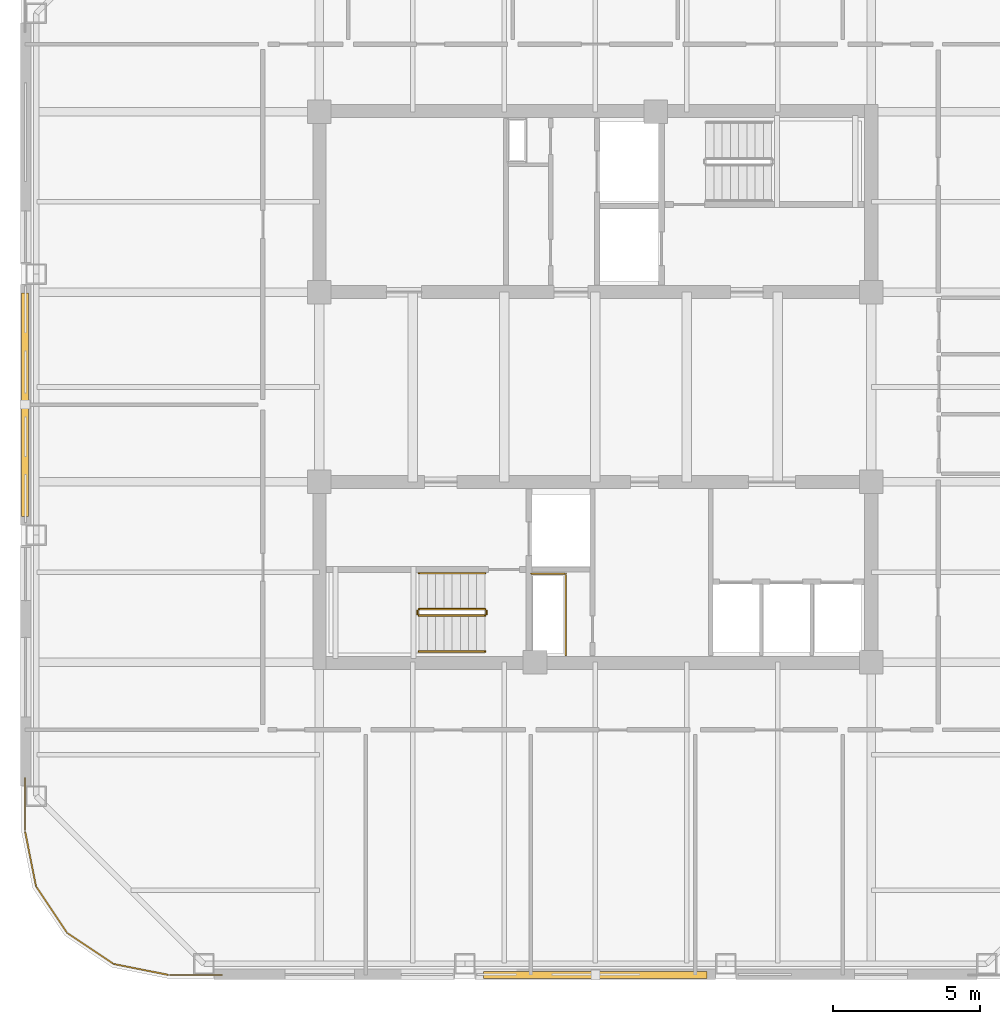
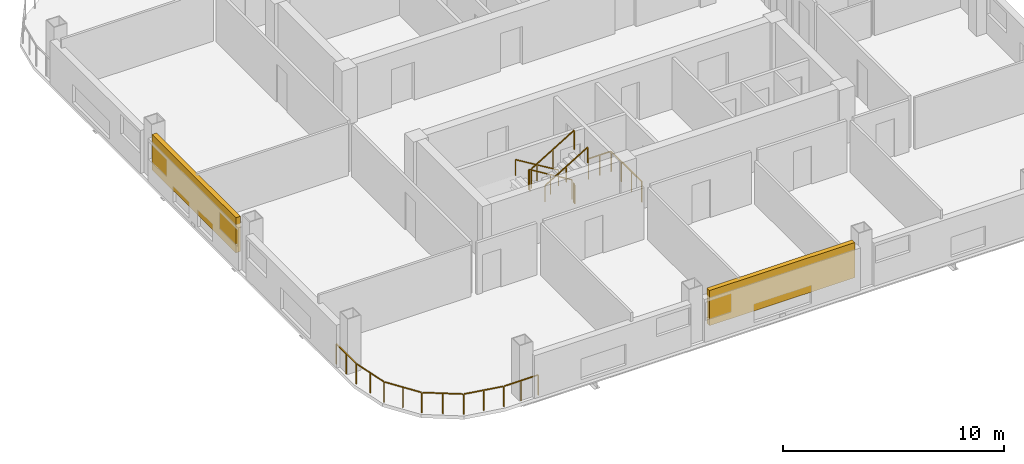
# One storey, part 6 of 8: 8 railings, 2 shading devices.
"""IFC4 building model written with IfcOpenShell, lengths in metres."""

from ifc_helpers import new_model, si_unit, direction, frame, origin, origin_2d, place, context, subcontext, project, spatial, rectangle, extrude, material, type_object, element, save


model = new_model("IFC4")

# Units and contexts
model_context = context("Model", 3, precision=1e-05, world=origin(), true_north=direction((0.0, 1.0)))
body_context = subcontext(model_context, "Body", "Model", "MODEL_VIEW")
ifc_project = project(units=[si_unit("LENGTHUNIT", "METRE"), si_unit("AREAUNIT", "SQUARE_METRE"), si_unit("VOLUMEUNIT", "CUBIC_METRE"), si_unit("PLANEANGLEUNIT", "RADIAN"), si_unit("MASSUNIT", "GRAM", prefix="KILO")], contexts=[model_context])

# Site, building, storey
site_placement = place(None, origin())
site = spatial("IfcSite", under=ifc_project, at=site_placement, CompositionType="ELEMENT")
building_placement = place(site_placement, origin())
building = spatial("IfcBuilding", under=site, at=building_placement, Name="Qhalaya Broadcast Tower", CompositionType="ELEMENT")
storey_placement = place(building_placement, frame((0.0, 0.0, 214.75)))
storey = spatial("IfcBuildingStorey", under=building, at=storey_placement, Name="L63", CompositionType="ELEMENT", Elevation=214.75)

# Railings
ifc_material_1 = material(Name="Powder-Coated Galvanised Steel", Category="steel")
railing_type_1 = type_object("IfcRailingType", Name="Stair Wall Handrail 900", PredefinedType="HANDRAIL", material=ifc_material_1)
railing_1_placement = place(storey_placement, frame((-3.75, -5.72998046875, 0.16943359375)))
element("IfcRailing", 1, at=railing_1_placement, inside=storey, type_object=railing_type_1, Name="L63 ST-2 Stair Handrail 1", PredefinedType="HANDRAIL", context=body_context, shape_type="SweptSolid", body=[
    extrude(rectangle(XDim=0.048095703125, YDim=0.048095703125, at=origin_2d()), frame((0.0, 0.0, 0.8759765625), z_axis=(-0.855553338991, 0.0, 0.51771467445), x_axis=(0.0, -1.0, 0.0)), (0.0, 0.0, 1.0), 2.6181640625),
    extrude(rectangle(XDim=0.0419921875, YDim=0.0419921875, at=origin_2d()), origin(), (0.0, 0.0, 1.0), 0.849853515625),
    extrude(rectangle(XDim=0.0419921875, YDim=0.0419921875, at=origin_2d()), frame((-1.1201171875, 0.0, 0.677734375)), (0.0, 0.0, 1.0), 0.849853515625),
    extrude(rectangle(XDim=0.0419921875, YDim=0.0419921875, at=origin_2d()), frame((-2.239990234375, 0.0, 1.35546875)), (0.0, 0.0, 1.0), 0.849853515625),
])
railing_2_placement = place(storey_placement, frame((-5.989990234375, -8.389892578125, 1.6943359375)))
element("IfcRailing", 2, at=railing_2_placement, inside=storey, type_object=railing_type_1, Name="L63 ST-2 Stair Handrail 2", PredefinedType="HANDRAIL", context=body_context, shape_type="SweptSolid", body=[
    extrude(rectangle(XDim=0.048095703125, YDim=0.048095703125, at=origin_2d()), frame((0.0, 0.0, 0.8759765625), z_axis=(0.855512035549, 0.0, 0.517782924622), x_axis=(0.0, 1.0, 0.0)), (0.0, 0.0, 1.0), 2.618408203125),
    extrude(rectangle(XDim=0.0419921875, YDim=0.0419921875, at=origin_2d()), origin(), (0.0, 0.0, 1.0), 0.849853515625),
    extrude(rectangle(XDim=0.0419921875, YDim=0.0419921875, at=origin_2d()), frame((1.1201171875, 0.0, 0.677734375)), (0.0, 0.0, 1.0), 0.849853515625),
    extrude(rectangle(XDim=0.0419921875, YDim=0.0419921875, at=origin_2d()), frame((2.239990234375, 0.0, 1.355712890625)), (0.0, 0.0, 1.0), 0.849853515625),
])
railing_type_2 = type_object("IfcRailingType", Name="Stair Well & Landing Guardrail 1100", PredefinedType="GUARDRAIL", material=ifc_material_1)
railing_3_placement = place(storey_placement, frame((-1.0, -8.52001953125, 0.0)))
element("IfcRailing", 3, at=railing_3_placement, inside=storey, type_object=railing_type_2, Name="L63 Service Riser Opening Safety Guard SRSR", PredefinedType="GUARDRAIL", context=body_context, shape_type="SweptSolid", body=[
    extrude(rectangle(XDim=0.048095703125, YDim=0.048095703125, at=origin_2d()), frame((0.0, 0.0, 1.1259765625), z_axis=(0.0, 1.0, 0.0), x_axis=(-1.0, 0.0, 0.0)), (0.0, 0.0, 1.0), 2.751220703125),
    extrude(rectangle(XDim=0.048095703125, YDim=0.048095703125, at=origin_2d()), frame((-0.02880859375, 2.780029296875, 1.1259765625), z_axis=(-1.0, 0.0, 0.0), x_axis=(0.0, -1.0, 0.0)), (0.0, 0.0, 1.0), 1.151123046875),
    extrude(rectangle(XDim=0.0419921875, YDim=0.0419921875, at=origin_2d()), origin(), (0.0, 0.0, 1.0), 1.099853515625),
    extrude(rectangle(XDim=0.0419921875, YDim=0.0419921875, at=origin_2d()), frame((0.0, 0.9267578125, 0.0)), (0.0, 0.0, 1.0), 1.099853515625),
    extrude(rectangle(XDim=0.0419921875, YDim=0.0419921875, at=origin_2d()), frame((0.0, 1.853271484375, 0.0)), (0.0, 0.0, 1.0), 1.099853515625),
    extrude(rectangle(XDim=0.0419921875, YDim=0.0419921875, at=origin_2d()), frame((0.0, 2.780029296875, 0.0)), (0.0, 0.0, 1.0), 1.099853515625),
    extrude(rectangle(XDim=0.0419921875, YDim=0.0419921875, at=origin_2d()), frame((-0.58984375, 2.780029296875, 0.0)), (0.0, 0.0, 1.0), 1.099853515625),
    extrude(rectangle(XDim=0.0419921875, YDim=0.0419921875, at=origin_2d()), frame((-1.179931640625, 2.780029296875, 0.0)), (0.0, 0.0, 1.0), 1.099853515625),
])
railing_4_placement = place(storey_placement, frame((-3.75, -6.949951171875, 0.16943359375)))
element("IfcRailing", 4, at=railing_4_placement, inside=storey, type_object=railing_type_2, Name="L63 ST-2 Stair Guard 1", PredefinedType="GUARDRAIL", context=body_context, shape_type="SweptSolid", body=[
    extrude(rectangle(XDim=0.048095703125, YDim=0.048095703125, at=origin_2d()), frame((0.0, 0.0, 1.076171875), z_axis=(-0.855553338991, 0.0, 0.51771467445), x_axis=(0.0, -1.0, 0.0)), (0.0, 0.0, 1.0), 2.6181640625),
    extrude(rectangle(XDim=0.0419921875, YDim=0.0419921875, at=origin_2d()), origin(), (0.0, 0.0, 1.0), 1.050048828125),
    extrude(rectangle(XDim=0.0419921875, YDim=0.0419921875, at=origin_2d()), frame((-1.1201171875, 0.0, 0.677734375)), (0.0, 0.0, 1.0), 1.050048828125),
    extrude(rectangle(XDim=0.0419921875, YDim=0.0419921875, at=origin_2d()), frame((-2.239990234375, 0.0, 1.35546875)), (0.0, 0.0, 1.0), 1.050048828125),
])
railing_5_placement = place(storey_placement, frame((-6.0400390625, -7.0, 1.52490234375)))
element("IfcRailing", 5, at=railing_5_placement, inside=storey, type_object=railing_type_2, Name="L63 ST-2 Stair Guard 2", PredefinedType="GUARDRAIL", context=body_context, shape_type="SweptSolid", body=[
    extrude(rectangle(XDim=0.048095703125, YDim=0.048095703125, at=origin_2d()), frame((0.0, 0.0, 1.076171875), z_axis=(0.0, -1.0, 0.0), x_axis=(1.0, 0.0, 0.0)), (0.0, 0.0, 1.0), 0.1201171875),
    extrude(rectangle(XDim=0.0419921875, YDim=0.0419921875, at=origin_2d()), origin(), (0.0, 0.0, 1.0), 1.050048828125),
    extrude(rectangle(XDim=0.0419921875, YDim=0.0419921875, at=origin_2d()), frame((0.0, -0.1201171875, 0.0)), (0.0, 0.0, 1.0), 1.050048828125),
])
railing_6_placement = place(storey_placement, frame((-5.989990234375, -7.169921875, 1.6943359375)))
element("IfcRailing", 6, at=railing_6_placement, inside=storey, type_object=railing_type_2, Name="L63 ST-2 Stair Guard 3", PredefinedType="GUARDRAIL", context=body_context, shape_type="SweptSolid", body=[
    extrude(rectangle(XDim=0.048095703125, YDim=0.048095703125, at=origin_2d()), frame((0.0, 0.0, 1.076171875), z_axis=(0.855512035549, 0.0, 0.517782924622), x_axis=(0.0, 1.0, 0.0)), (0.0, 0.0, 1.0), 2.618408203125),
    extrude(rectangle(XDim=0.0419921875, YDim=0.0419921875, at=origin_2d()), origin(), (0.0, 0.0, 1.0), 1.050048828125),
    extrude(rectangle(XDim=0.0419921875, YDim=0.0419921875, at=origin_2d()), frame((1.1201171875, 0.0, 0.677734375)), (0.0, 0.0, 1.0), 1.050048828125),
    extrude(rectangle(XDim=0.0419921875, YDim=0.0419921875, at=origin_2d()), frame((2.239990234375, 0.0, 1.355712890625)), (0.0, 0.0, 1.0), 1.050048828125),
])
railing_7_placement = place(storey_placement, frame((-3.699951171875, -7.0, 0.0)))
element("IfcRailing", 7, at=railing_7_placement, inside=storey, type_object=railing_type_2, Name="L63 ST-2 Stair Guard 4", PredefinedType="GUARDRAIL", context=body_context, shape_type="SweptSolid", body=[
    extrude(rectangle(XDim=0.048095703125, YDim=0.048095703125, at=origin_2d()), frame((0.0, 0.0, 1.076171875), z_axis=(0.0, -1.0, 0.0), x_axis=(1.0, 0.0, 0.0)), (0.0, 0.0, 1.0), 0.1201171875),
    extrude(rectangle(XDim=0.0419921875, YDim=0.0419921875, at=origin_2d()), origin(), (0.0, 0.0, 1.0), 1.050048828125),
    extrude(rectangle(XDim=0.0419921875, YDim=0.0419921875, at=origin_2d()), frame((0.0, -0.1201171875, 0.0)), (0.0, 0.0, 1.0), 1.050048828125),
])
railing_type_3 = type_object("IfcRailingType", Name="Terrace, Sky-Pool & Lookout Glass Balustrade 1150", PredefinedType="BALUSTRADE", material=ifc_material_1)
railing_8_placement = place(storey_placement, frame((-12.681884765625, -19.3798828125, 0.0)))
element("IfcRailing", 8, at=railing_8_placement, inside=storey, type_object=railing_type_3, Name="L63 Rounded Corner Perimeter Guard 02", PredefinedType="BALUSTRADE", context=body_context, shape_type="SweptSolid", body=[
    extrude(rectangle(XDim=0.048095703125, YDim=0.048095703125, at=origin_2d()), frame((0.0, 0.0, 1.1259765625), z_axis=(-1.0, 0.0, 0.0), x_axis=(0.0, -1.0, 0.0)), (0.0, 0.0, 1.0), 1.777587890625),
    extrude(rectangle(XDim=0.048095703125, YDim=0.048095703125, at=origin_2d()), frame((-1.834716796875, 0.005615234375, 1.1259765625), z_axis=(-0.980795810058, 0.195037378397, 0.0), x_axis=(-0.195037378397, -0.980795810058, 0.0)), (0.0, 0.0, 1.0), 1.857421875),
    extrude(rectangle(XDim=0.048095703125, YDim=0.048095703125, at=origin_2d()), frame((-3.708740234375, 0.3896484375, 1.1259765625), z_axis=(-0.831437950597, 0.555617615188, 0.0), x_axis=(-0.555617615188, -0.831437950597, 0.0)), (0.0, 0.0, 1.0), 1.845458984375),
    extrude(rectangle(XDim=0.048095703125, YDim=0.048095703125, at=origin_2d()), frame((-5.283203125, 1.454833984375, 1.1259765625), z_axis=(-0.555617615188, 0.831437950597, 0.0), x_axis=(-0.831437950597, -0.555617615188, 0.0)), (0.0, 0.0, 1.0), 1.845458984375),
    extrude(rectangle(XDim=0.048095703125, YDim=0.048095703125, at=origin_2d()), frame((-6.330078125, 3.04150390625, 1.1259765625), z_axis=(-0.195037378397, 0.980795810058, 0.0), x_axis=(-0.980795810058, -0.195037378397, 0.0)), (0.0, 0.0, 1.0), 1.857421875),
    extrude(rectangle(XDim=0.048095703125, YDim=0.048095703125, at=origin_2d()), frame((-6.697998046875, 4.92041015625, 1.1259765625), z_axis=(0.0, 1.0, 0.0), x_axis=(-1.0, 0.0, 0.0)), (0.0, 0.0, 1.0), 1.777587890625),
    extrude(rectangle(XDim=0.0419921875, YDim=0.0419921875, at=origin_2d()), origin(), (0.0, 0.0, 1.0), 1.099853515625),
    extrude(rectangle(XDim=0.0419921875, YDim=0.0419921875, at=origin_2d()), frame((-0.9033203125, 0.0, 0.0)), (0.0, 0.0, 1.0), 1.099853515625),
    extrude(rectangle(XDim=0.0419921875, YDim=0.0419921875, at=origin_2d()), frame((-1.806396484375, 0.0, 0.0)), (0.0, 0.0, 1.0), 1.099853515625),
    extrude(rectangle(XDim=0.0419921875, YDim=0.0419921875, at=origin_2d()), frame((-2.74560546875, 0.186767578125, 0.0)), (0.0, 0.0, 1.0), 1.099853515625),
    extrude(rectangle(XDim=0.0419921875, YDim=0.0419921875, at=origin_2d()), frame((-3.684814453125, 0.37353515625, 0.0)), (0.0, 0.0, 1.0), 1.099853515625),
    extrude(rectangle(XDim=0.0419921875, YDim=0.0419921875, at=origin_2d()), frame((-4.47607421875, 0.90234375, 0.0)), (0.0, 0.0, 1.0), 1.099853515625),
    extrude(rectangle(XDim=0.0419921875, YDim=0.0419921875, at=origin_2d()), frame((-5.26708984375, 1.430908203125, 0.0)), (0.0, 0.0, 1.0), 1.099853515625),
    extrude(rectangle(XDim=0.0419921875, YDim=0.0419921875, at=origin_2d()), frame((-5.7958984375, 2.22216796875, 0.0)), (0.0, 0.0, 1.0), 1.099853515625),
    extrude(rectangle(XDim=0.0419921875, YDim=0.0419921875, at=origin_2d()), frame((-6.324462890625, 3.01318359375, 0.0)), (0.0, 0.0, 1.0), 1.099853515625),
    extrude(rectangle(XDim=0.0419921875, YDim=0.0419921875, at=origin_2d()), frame((-6.51123046875, 3.952392578125, 0.0)), (0.0, 0.0, 1.0), 1.099853515625),
    extrude(rectangle(XDim=0.0419921875, YDim=0.0419921875, at=origin_2d()), frame((-6.697998046875, 4.8916015625, 0.0)), (0.0, 0.0, 1.0), 1.099853515625),
    extrude(rectangle(XDim=0.0419921875, YDim=0.0419921875, at=origin_2d()), frame((-6.697998046875, 5.794921875, 0.0)), (0.0, 0.0, 1.0), 1.099853515625),
    extrude(rectangle(XDim=0.0419921875, YDim=0.0419921875, at=origin_2d()), frame((-6.697998046875, 6.697998046875, 0.0)), (0.0, 0.0, 1.0), 1.099853515625),
])

# Shading devices
ifc_material_2 = material(Name="Fired Architectural Terracotta", Category="masonry")
shading_device_type = type_object("IfcShadingDeviceType", Name="Terracotta Baguette Solar Screen Assembly TBS-01", PredefinedType="USERDEFINED", material=ifc_material_2)
for number, where, z_axis, x_axis, name in (
    (9, (0.0, -19.3798828125, 0.80078125), (0.0, 0.0, 1.0), (1.0, 0.0, 0.0), "L63 Fired Terracotta Baguette Screen S"),
    (10, (-19.3798828125, 0.0, 0.80078125), (0.0, 0.0, 1.0), (0.0, -1.0, 0.0), "L63 Fired Terracotta Baguette Screen W"),
):
    element("IfcShadingDevice", number, at=place(storey_placement, frame(where, z_axis=z_axis, x_axis=x_axis)), inside=storey, type_object=shading_device_type, Name=name, ObjectType="BAGUETTE", PredefinedType="USERDEFINED", context=body_context, shape_type="SweptSolid", body=[
        extrude(rectangle(XDim=7.60009765625, YDim=0.239990234375, at=origin_2d()), origin(), (0.0, 0.0, 1.0), 1.945068359375),
    ])

save(model, "model.ifc")
